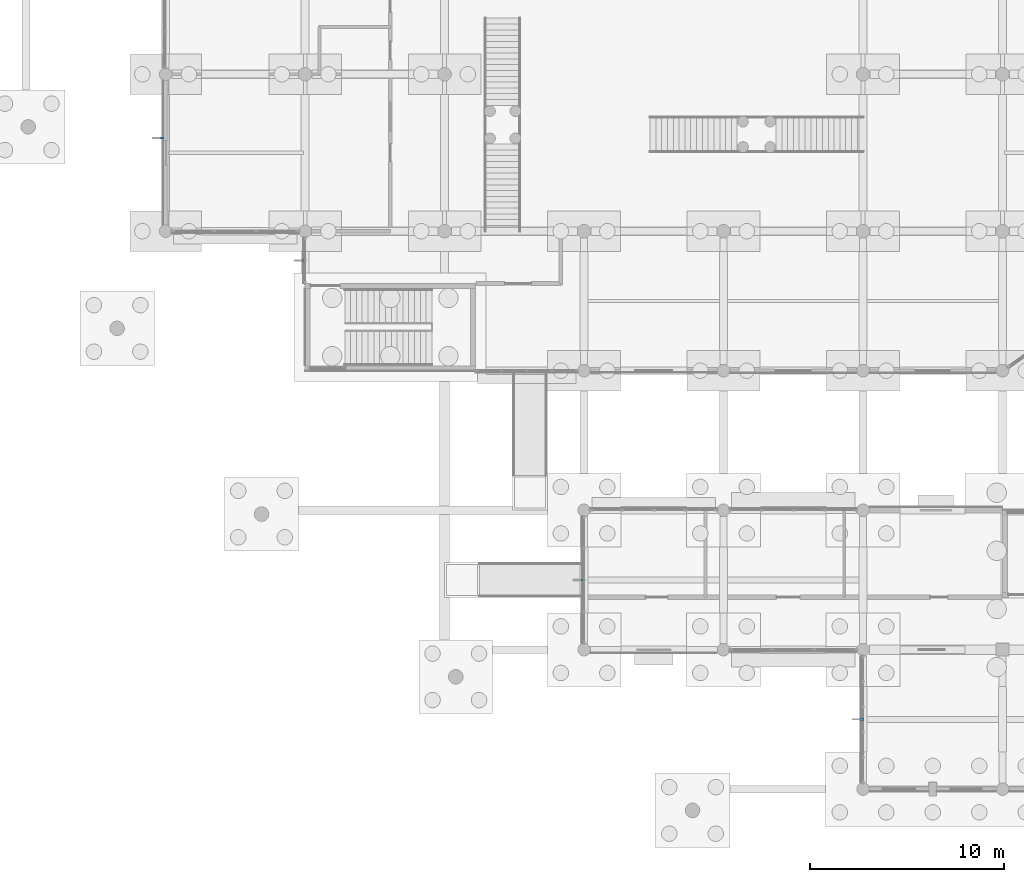
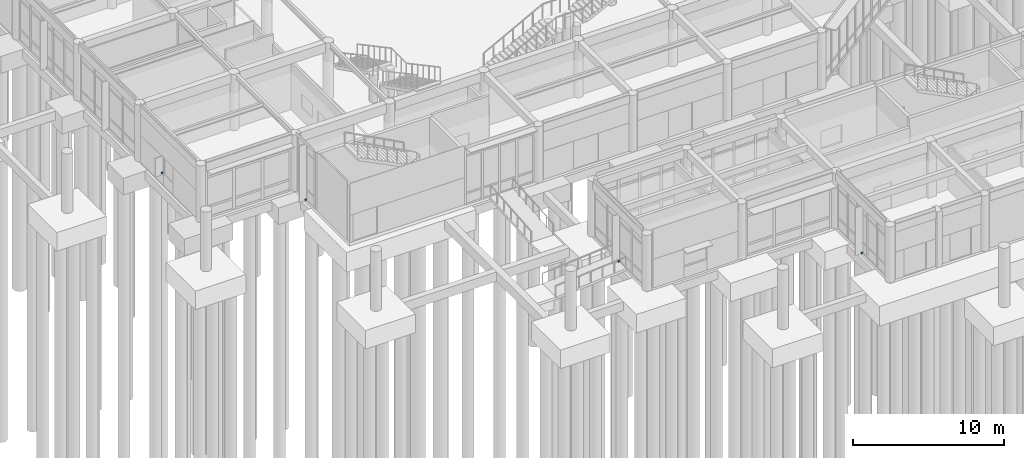
# One storey, part 65 of 103: 4 discrete accessories.
"""IFC4 building model written with IfcOpenShell, lengths in metres."""

from ifc_helpers import new_model, si_unit, direction, frame, origin, origin_2d, place, context, subcontext, project, spatial, rectangle, extrude, material, type_object, element, save


model = new_model("IFC4")

# Units and contexts
model_context = context("Model", 3, precision=1e-05, world=origin(), true_north=direction((0.0, 1.0)))
body_context = subcontext(model_context, "Body", "Model", "MODEL_VIEW")
ifc_project = project(units=[si_unit("LENGTHUNIT", "METRE"), si_unit("AREAUNIT", "SQUARE_METRE"), si_unit("VOLUMEUNIT", "CUBIC_METRE"), si_unit("PLANEANGLEUNIT", "RADIAN"), si_unit("MASSUNIT", "GRAM", prefix="KILO")], contexts=[model_context])

# Site, building, storey
site_placement = place(None, origin())
site = spatial("IfcSite", under=ifc_project, at=site_placement, CompositionType="ELEMENT")
building_placement = place(site_placement, origin())
building = spatial("IfcBuilding", under=site, at=building_placement, Name="Namkhue Oval Health Centre", CompositionType="ELEMENT")
storey_placement = place(building_placement, origin())
storey = spatial("IfcBuildingStorey", under=building, at=storey_placement, Name="L00", CompositionType="ELEMENT", Elevation=0.0)

# Discrete accessories
ifc_material = material(Name="Structural steel S355JR (TCVN CCT38)", Category="steel")
discrete_accessory_type = type_object("IfcDiscreteAccessoryType", Name="FACADE SHADING BRACKET", PredefinedType="BRACKET", material=ifc_material)
for number, where, z_axis, x_axis, name in (
    (1, (14.219970703125, 48.014892578125, 0.89990234375), (0.0, 0.0, 1.0), (-1.0, 0.0, 0.0), "Window Fin Bracket 20"),
    (2, (21.5400390625, 41.69091796875, 0.0), (0.0, 0.0, 1.0), (-1.0, 0.0, 0.0), "Solar Fin Bracket 22"),
    (3, (35.93994140625, 25.199951171875, 0.0), (0.0, 0.0, 1.0), (-1.0, 0.0, 0.0), "Solar Fin Bracket 192"),
    (4, (50.340087890625, 18.0, 0.0), (0.0, 0.0, 1.0), (-1.0, 0.0, 0.0), "Solar Fin Bracket 195"),
):
    element("IfcDiscreteAccessory", number, at=place(storey_placement, frame(where, z_axis=z_axis, x_axis=x_axis)), inside=storey, type_object=discrete_accessory_type, Name=name, PredefinedType="BRACKET", context=body_context, shape_type="SweptSolid", body=[
        extrude(rectangle(XDim=0.159912109375, YDim=0.1201171875, at=origin_2d()), origin(), (0.0, 0.0, 1.0), 0.1201171875),
    ])

save(model, "model.ifc")
